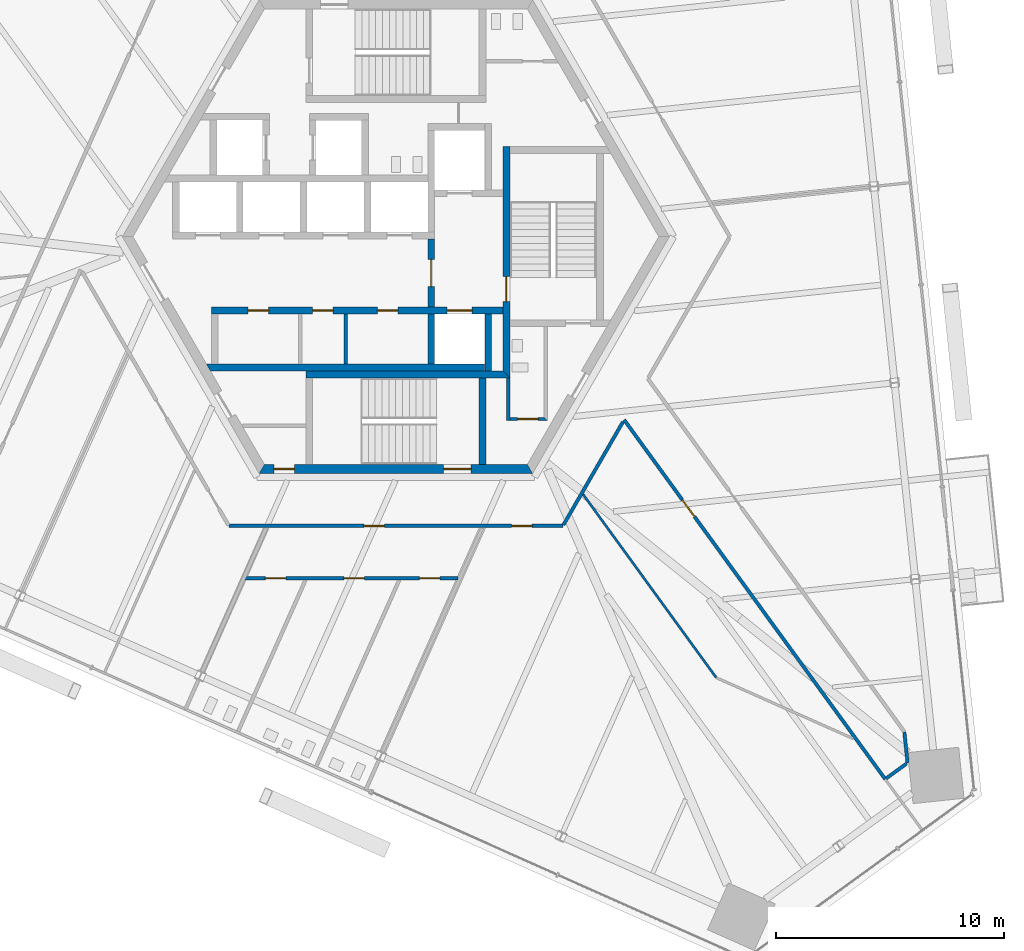
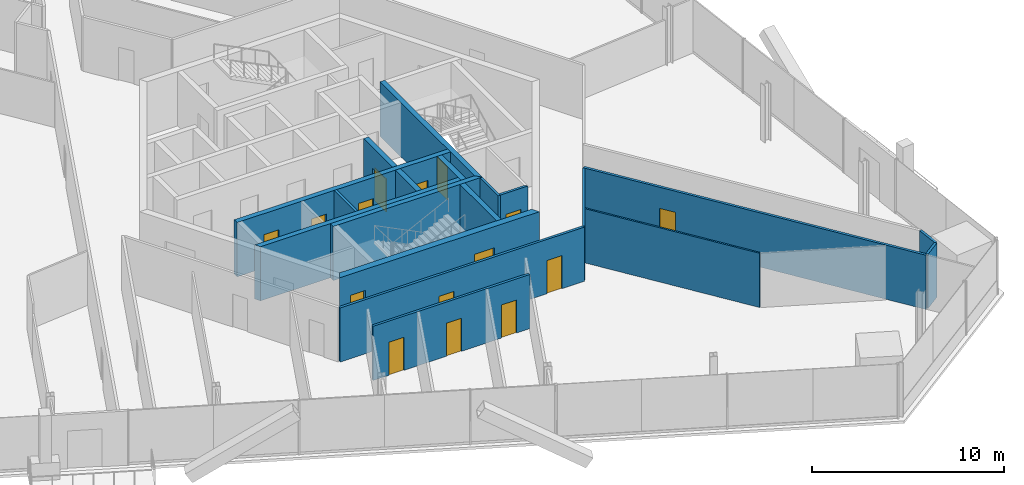
# One storey, part 12 of 19: 19 walls, 15 doors, 15 openings.
"""IFC4 building model written with IfcOpenShell, lengths in metres."""

from ifc_helpers import new_model, si_unit, direction, frame, frame_2d, origin, place, context, subcontext, project, spatial, polyline, rectangle, outline, extrude, source, transform, mapped, material, layer, layer_set, type_object, element, fill, save


model = new_model("IFC4")

# Units and contexts
model_context = context("Model", 3, precision=1e-05, world=origin(), true_north=direction((0.0, 1.0)))
body_context = subcontext(model_context, "Body", "Model", "MODEL_VIEW")
ifc_project = project(units=[si_unit("LENGTHUNIT", "METRE"), si_unit("AREAUNIT", "SQUARE_METRE"), si_unit("VOLUMEUNIT", "CUBIC_METRE"), si_unit("PLANEANGLEUNIT", "RADIAN"), si_unit("MASSUNIT", "GRAM", prefix="KILO")], contexts=[model_context])

# Site, building, storey
site_placement = place(None, origin())
site = spatial("IfcSite", under=ifc_project, at=site_placement, CompositionType="ELEMENT")
building_placement = place(site_placement, origin())
building = spatial("IfcBuilding", under=site, at=building_placement, Name="Triune Harvest Tower", CompositionType="ELEMENT")
storey_placement = place(building_placement, frame((0.0, 0.0, 69.300048828125)))
storey = spatial("IfcBuildingStorey", under=building, at=storey_placement, Name="L16", CompositionType="ELEMENT", Elevation=69.300048828125)

# Wall, openings, doors
ifc_material_1 = material(Name="Concrete 70 MPa", Category="concrete")
ifc_layer_1 = layer(ifc_material_1, 0.39990234375)
ifc_layer_set_1 = layer_set([ifc_layer_1], Name="Concrete 70 MPa")
wall_type_1 = type_object("IfcWallType", Name="Core wall 400", PredefinedType="SHEAR", material=ifc_layer_set_1)
shared_shape_1 = source(origin(), body_context, "Body", "SweptSolid", [
    extrude(outline(polyline([(-0.115478515625, -0.199951171875), (11.884521484375, -0.199951171875), (11.653564453125, 0.199951171875), (0.115478515625, 0.199951171875), (-0.115478515625, -0.199951171875)])), origin(), (0.0, 0.0, 1.0), 3.43994140625),
])
wall_1_placement = place(storey_placement, frame((-5.884521484375, -10.1923828125, 0.0), z_axis=(0.0, 0.0, 1.0), x_axis=(1.0, 0.0, 0.0)))
wall_1 = element("IfcWall", 1, at=wall_1_placement, inside=storey, type_object=wall_type_1, Name="Hexagon 4 wall", PredefinedType="SHEAR", context=body_context, shape_type="MappedRepresentation", body=[
    mapped(shared_shape_1, transform((0.0, 0.0, 0.0), scale=1.0)),
])
opening_1_placement = place(wall_1_placement, frame((7.984619140625, 0.0, 0.0)))
opening_1 = element("IfcOpeningElement", 2, at=opening_1_placement, cuts=wall_1, Name="Opening CD-S2P", PredefinedType="OPENING", context=body_context, shape_type="SweptSolid", body=[
    extrude(rectangle(XDim=1.199951171875, YDim=2.10009765625, at=frame_2d((0.60009765625, 1.050048828125))), frame((0.0, 0.2099609375, 0.0), z_axis=(0.0, -1.0, 0.0), x_axis=(1.0, 0.0, 0.0)), (0.0, 0.0, 1.0), 0.419921875),
])
opening_2_placement = place(wall_1_placement, frame((0.534423828125, 0.0, 0.0)))
opening_2 = element("IfcOpeningElement", 3, at=opening_2_placement, cuts=wall_1, Name="Opening CD-SWS", PredefinedType="OPENING", context=body_context, shape_type="SweptSolid", body=[
    extrude(rectangle(XDim=0.89990234375, YDim=2.10009765625, at=frame_2d((0.449951171875, 1.050048828125))), frame((0.0, 0.2099609375, 0.0), z_axis=(0.0, -1.0, 0.0), x_axis=(1.0, 0.0, 0.0)), (0.0, 0.0, 1.0), 0.419921875),
])
ifc_material_2 = material(Name="Steel S235", Category="steel")
door_type_1 = type_object("IfcDoorType", Name="Riser door 900 FD120", OperationType="SINGLE_SWING_LEFT", PredefinedType="DOOR", material=ifc_material_2)
door_1_placement = place(opening_2_placement, frame((0.89990234375, 0.0, 0.0), z_axis=(0.0, 0.0, 1.0), x_axis=(-1.0, 0.0, 0.0)))
door_1 = element("IfcDoor", 4, at=door_1_placement, inside=storey, type_object=door_type_1, Name="Door CD-SWS", OperationType="SINGLE_SWING_RIGHT", OverallHeight=2.10009765625, OverallWidth=0.89990234375, PredefinedType="DOOR", context=body_context, shape_type="SweptSolid", body=[
    extrude(rectangle(XDim=0.89990234375, YDim=2.10009765625, at=frame_2d((0.449951171875, 1.050048828125))), frame((0.0, 0.02490234375, 0.0), z_axis=(0.0, -1.0, 0.0), x_axis=(1.0, 0.0, 0.0)), (0.0, 0.0, 1.0), 0.050048828125),
])
fill(opening_2, door_1)
ifc_material_3 = material(Name="Steel S235", Category="steel")
door_type_2 = type_object("IfcDoorType", Name="Stair door 1200 FD120", OperationType="SINGLE_SWING_LEFT", PredefinedType="DOOR", material=ifc_material_3)
door_2_placement = place(opening_1_placement, frame((1.199951171875, 0.0, 0.0), z_axis=(0.0, 0.0, 1.0), x_axis=(-1.0, 0.0, 0.0)))
door_2 = element("IfcDoor", 5, at=door_2_placement, inside=storey, type_object=door_type_2, Name="Door CD-S2P", OperationType="SINGLE_SWING_RIGHT", OverallHeight=2.10009765625, OverallWidth=1.199951171875, PredefinedType="DOOR", context=body_context, shape_type="SweptSolid", body=[
    extrude(rectangle(XDim=1.199951171875, YDim=2.10009765625, at=frame_2d((0.60009765625, 1.050048828125))), frame((0.0, 0.02490234375, 0.0), z_axis=(0.0, -1.0, 0.0), x_axis=(1.0, 0.0, 0.0)), (0.0, 0.0, 1.0), 0.050048828125),
])
fill(opening_1, door_2)

# Wall
ifc_material_4 = material(Name="Concrete 70 MPa", Category="concrete")
ifc_layer_2 = layer(ifc_material_4, 0.300048828125)
ifc_layer_set_2 = layer_set([ifc_layer_2], Name="Concrete 70 MPa")
wall_type_2 = type_object("IfcWallType", Name="Core wall 300", PredefinedType="SHEAR", material=ifc_layer_set_2)
shared_shape_2 = source(origin(), body_context, "Body", "SweptSolid", [
    extrude(rectangle(XDim=2.5, YDim=0.300048828125, at=frame_2d((1.25, 0.0))), origin(), (0.0, 0.0, 1.0), 3.43994140625),
])
wall_2_placement = place(storey_placement, frame((4.050048828125, -5.889892578125, 0.0), z_axis=(0.0, 0.0, 1.0), x_axis=(0.0, 1.0, 0.0)))
element("IfcWall", 6, at=wall_2_placement, inside=storey, type_object=wall_type_2, Name="Ff2 east wall", PredefinedType="SHEAR", context=body_context, shape_type="MappedRepresentation", body=[
    mapped(shared_shape_2, transform((0.0, 0.0, 0.0), scale=1.0)),
])

# Wall, opening, door
shared_shape_3 = source(origin(), body_context, "Body", "SweptSolid", [
    extrude(rectangle(XDim=3.0, YDim=0.300048828125, at=frame_2d((1.5, 0.0))), origin(), (0.0, 0.0, 1.0), 3.43994140625),
])
wall_3_placement = place(storey_placement, frame((1.550048828125, -3.090087890625, 0.0), z_axis=(0.0, 0.0, 1.0), x_axis=(0.0, 1.0, 0.0)))
wall_3 = element("IfcWall", 7, at=wall_3_placement, inside=storey, type_object=wall_type_2, Name="Ff lobby west wall", PredefinedType="SHEAR", context=body_context, shape_type="MappedRepresentation", body=[
    mapped(shared_shape_3, transform((0.0, 0.0, 0.0), scale=1.0)),
])
opening_3_placement = place(wall_3_placement, frame((0.89990234375, 0.0, 0.0)))
opening_3 = element("IfcOpeningElement", 8, at=opening_3_placement, cuts=wall_3, Name="Opening CD-FL", PredefinedType="OPENING", context=body_context, shape_type="SweptSolid", body=[
    extrude(rectangle(XDim=1.199951171875, YDim=2.10009765625, at=frame_2d((0.60009765625, 1.050048828125))), frame((0.0, 0.16015625, 0.0), z_axis=(0.0, -1.0, 0.0), x_axis=(1.0, 0.0, 0.0)), (0.0, 0.0, 1.0), 0.320068359375),
])
ifc_material_5 = material(Name="Steel S235", Category="steel")
door_type_3 = type_object("IfcDoorType", Name="Firefighters' lobby door 1200 FD120", OperationType="SINGLE_SWING_LEFT", PredefinedType="DOOR", material=ifc_material_5)
door_3_placement = place(opening_3_placement, frame((1.199951171875, 0.0, 0.0), z_axis=(0.0, 0.0, 1.0), x_axis=(-1.0, 0.0, 0.0)))
door_3 = element("IfcDoor", 9, at=door_3_placement, inside=storey, type_object=door_type_3, Name="Door CD-FL", OperationType="SINGLE_SWING_RIGHT", OverallHeight=2.10009765625, OverallWidth=1.199951171875, PredefinedType="DOOR", context=body_context, shape_type="SweptSolid", body=[
    extrude(rectangle(XDim=1.199951171875, YDim=2.10009765625, at=frame_2d((0.60009765625, 1.050048828125))), frame((0.0, 0.02490234375, 0.0), z_axis=(0.0, -1.0, 0.0), x_axis=(1.0, 0.0, 0.0)), (0.0, 0.0, 1.0), 0.050048828125),
])
fill(opening_3, door_3)

# Wall, openings, doors
shared_shape_4 = source(origin(), body_context, "Body", "SweptSolid", [
    extrude(rectangle(XDim=12.800048828125, YDim=0.300048828125, at=frame_2d((6.39990234375, 0.0))), origin(), (0.0, 0.0, 1.0), 3.43994140625),
])
wall_4_placement = place(storey_placement, frame((-8.10009765625, -3.239990234375, 0.0), z_axis=(0.0, 0.0, 1.0), x_axis=(1.0, 0.0, 0.0)))
wall_4 = element("IfcWall", 10, at=wall_4_placement, inside=storey, type_object=wall_type_2, Name="South front wall", PredefinedType="SHEAR", context=body_context, shape_type="MappedRepresentation", body=[
    mapped(shared_shape_4, transform((0.0, 0.0, 0.0), scale=1.0)),
])
opening_4_placement = place(wall_4_placement, frame((1.612548828125, 0.0, 0.0)))
opening_4 = element("IfcOpeningElement", 11, at=opening_4_placement, cuts=wall_4, Name="Opening CD-RS1", PredefinedType="OPENING", context=body_context, shape_type="SweptSolid", body=[
    extrude(rectangle(XDim=0.89990234375, YDim=2.10009765625, at=frame_2d((0.449951171875, 1.050048828125))), frame((0.0, 0.16015625, 0.0), z_axis=(0.0, -1.0, 0.0), x_axis=(1.0, 0.0, 0.0)), (0.0, 0.0, 1.0), 0.320068359375),
])
opening_5_placement = place(wall_4_placement, frame((4.449951171875, 0.0, 0.0)))
opening_5 = element("IfcOpeningElement", 12, at=opening_5_placement, cuts=wall_4, Name="Opening CD-RS2", PredefinedType="OPENING", context=body_context, shape_type="SweptSolid", body=[
    extrude(rectangle(XDim=0.89990234375, YDim=2.10009765625, at=frame_2d((0.449951171875, 1.050048828125))), frame((0.0, 0.16015625, 0.0), z_axis=(0.0, -1.0, 0.0), x_axis=(1.0, 0.0, 0.0)), (0.0, 0.0, 1.0), 0.320068359375),
])
opening_6_placement = place(wall_4_placement, frame((7.28759765625, 0.0, 0.0)))
opening_6 = element("IfcOpeningElement", 13, at=opening_6_placement, cuts=wall_4, Name="Opening CD-RS3", PredefinedType="OPENING", context=body_context, shape_type="SweptSolid", body=[
    extrude(rectangle(XDim=0.89990234375, YDim=2.10009765625, at=frame_2d((0.449951171875, 1.050048828125))), frame((0.0, 0.16015625, 0.0), z_axis=(0.0, -1.0, 0.0), x_axis=(1.0, 0.0, 0.0)), (0.0, 0.0, 1.0), 0.320068359375),
])
opening_7_placement = place(wall_4_placement, frame((10.35009765625, 0.0, 0.0)))
opening_7 = element("IfcOpeningElement", 14, at=opening_7_placement, cuts=wall_4, Name="Opening LD-FF2-16", PredefinedType="OPENING", context=body_context, shape_type="SweptSolid", body=[
    extrude(rectangle(XDim=1.10009765625, YDim=2.10009765625, at=frame_2d((0.550048828125, 1.050048828125))), frame((0.0, 0.16015625, 0.0), z_axis=(0.0, -1.0, 0.0), x_axis=(1.0, 0.0, 0.0)), (0.0, 0.0, 1.0), 0.320068359375),
])
ifc_material_6 = material(Name="Stainless steel AISI 304", Category="steel")
door_type_4 = type_object("IfcDoorType", Name="Landing door 1100 x 2100", OperationType="DOUBLE_DOOR_SLIDING", PredefinedType="DOOR", material=ifc_material_6)
door_4_placement = place(opening_7_placement, origin())
door_4 = element("IfcDoor", 15, at=door_4_placement, inside=storey, type_object=door_type_4, Name="Door LD-FF2-16", OperationType="DOUBLE_DOOR_SLIDING", OverallHeight=2.10009765625, OverallWidth=1.10009765625, PredefinedType="DOOR", context=body_context, shape_type="SweptSolid", body=[
    extrude(rectangle(XDim=1.10009765625, YDim=2.10009765625, at=frame_2d((0.550048828125, 1.050048828125))), frame((0.0, 0.02490234375, 0.0), z_axis=(0.0, -1.0, 0.0), x_axis=(1.0, 0.0, 0.0)), (0.0, 0.0, 1.0), 0.050048828125),
])
fill(opening_7, door_4)
door_5_placement = place(opening_4_placement, origin())
door_5 = element("IfcDoor", 16, at=door_5_placement, inside=storey, type_object=door_type_1, Name="Door CD-RS1", OperationType="SINGLE_SWING_LEFT", OverallHeight=2.10009765625, OverallWidth=0.89990234375, PredefinedType="DOOR", context=body_context, shape_type="SweptSolid", body=[
    extrude(rectangle(XDim=0.89990234375, YDim=2.10009765625, at=frame_2d((0.449951171875, 1.050048828125))), frame((0.0, 0.02490234375, 0.0), z_axis=(0.0, -1.0, 0.0), x_axis=(1.0, 0.0, 0.0)), (0.0, 0.0, 1.0), 0.050048828125),
])
fill(opening_4, door_5)
door_6_placement = place(opening_5_placement, origin())
door_6 = element("IfcDoor", 17, at=door_6_placement, inside=storey, type_object=door_type_1, Name="Door CD-RS2", OperationType="SINGLE_SWING_LEFT", OverallHeight=2.10009765625, OverallWidth=0.89990234375, PredefinedType="DOOR", context=body_context, shape_type="SweptSolid", body=[
    extrude(rectangle(XDim=0.89990234375, YDim=2.10009765625, at=frame_2d((0.449951171875, 1.050048828125))), frame((0.0, 0.02490234375, 0.0), z_axis=(0.0, -1.0, 0.0), x_axis=(1.0, 0.0, 0.0)), (0.0, 0.0, 1.0), 0.050048828125),
])
fill(opening_5, door_6)
door_7_placement = place(opening_6_placement, origin())
door_7 = element("IfcDoor", 18, at=door_7_placement, inside=storey, type_object=door_type_1, Name="Door CD-RS3", OperationType="SINGLE_SWING_LEFT", OverallHeight=2.10009765625, OverallWidth=0.89990234375, PredefinedType="DOOR", context=body_context, shape_type="SweptSolid", body=[
    extrude(rectangle(XDim=0.89990234375, YDim=2.10009765625, at=frame_2d((0.449951171875, 1.050048828125))), frame((0.0, 0.02490234375, 0.0), z_axis=(0.0, -1.0, 0.0), x_axis=(1.0, 0.0, 0.0)), (0.0, 0.0, 1.0), 0.050048828125),
])
fill(opening_6, door_7)

# Walls
shared_shape_5 = source(origin(), body_context, "Body", "SweptSolid", [
    extrude(outline(polyline([(12.0, -0.14990234375), (-0.039794921875, -0.14990234375), (-0.212890625, 0.14990234375), (12.0, 0.14990234375), (12.0, -0.14990234375)])), origin(), (0.0, 0.0, 1.0), 3.43994140625),
])
wall_5_placement = place(storey_placement, frame((-8.10009765625, -5.739990234375, 0.0), z_axis=(0.0, 0.0, 1.0), x_axis=(1.0, 0.0, 0.0)))
element("IfcWall", 19, at=wall_5_placement, inside=storey, type_object=wall_type_2, Name="South back wall", PredefinedType="SHEAR", context=body_context, shape_type="MappedRepresentation", body=[
    mapped(shared_shape_5, transform((0.0, 0.0, 0.0), scale=1.0)),
])
shared_shape_6 = source(origin(), body_context, "Body", "SweptSolid", [
    extrude(rectangle(XDim=2.2001953125, YDim=0.300048828125, at=frame_2d((1.10009765625, 0.0))), origin(), (0.0, 0.0, 1.0), 3.43994140625),
])
wall_6_placement = place(storey_placement, frame((1.550048828125, -5.590087890625, 0.0), z_axis=(0.0, 0.0, 1.0), x_axis=(0.0, 1.0, 0.0)))
element("IfcWall", 20, at=wall_6_placement, inside=storey, type_object=wall_type_2, Name="Ff2 west wall", PredefinedType="SHEAR", context=body_context, shape_type="MappedRepresentation", body=[
    mapped(shared_shape_6, transform((0.0, 0.0, 0.0), scale=1.0)),
])

# Wall, opening, door
shared_shape_7 = source(origin(), body_context, "Body", "SweptSolid", [
    extrude(outline(polyline([(-0.14990234375, -0.14990234375), (9.989990234375, -0.14990234375), (9.989990234375, 0.14990234375), (0.14990234375, 0.14990234375), (-0.14990234375, -0.14990234375)])), origin(), (0.0, 0.0, 1.0), 3.43994140625),
])
wall_7_placement = place(storey_placement, frame((4.85009765625, -6.0400390625, 0.0), z_axis=(0.0, 0.0, 1.0), x_axis=(0.0, 1.0, 0.0)))
wall_7 = element("IfcWall", 21, at=wall_7_placement, inside=storey, type_object=wall_type_2, Name="Stair e west wall", PredefinedType="SHEAR", context=body_context, shape_type="MappedRepresentation", body=[
    mapped(shared_shape_7, transform((0.0, 0.0, 0.0), scale=1.0)),
])
opening_8_placement = place(wall_7_placement, frame((3.18994140625, 0.0, 0.0)))
opening_8 = element("IfcOpeningElement", 22, at=opening_8_placement, cuts=wall_7, Name="Opening CD-S3L", PredefinedType="OPENING", context=body_context, shape_type="SweptSolid", body=[
    extrude(rectangle(XDim=1.10009765625, YDim=2.10009765625, at=frame_2d((0.550048828125, 1.050048828125))), frame((0.0, 0.16015625, 0.0), z_axis=(0.0, -1.0, 0.0), x_axis=(1.0, 0.0, 0.0)), (0.0, 0.0, 1.0), 0.320068359375),
])
ifc_material_7 = material(Name="Steel S235", Category="steel")
door_type_5 = type_object("IfcDoorType", Name="Stair door 1100 FD120", OperationType="SINGLE_SWING_LEFT", PredefinedType="DOOR", material=ifc_material_7)
door_8_placement = place(opening_8_placement, frame((1.10009765625, 0.0, 0.0), z_axis=(0.0, 0.0, 1.0), x_axis=(-1.0, 0.0, 0.0)))
door_8 = element("IfcDoor", 23, at=door_8_placement, inside=storey, type_object=door_type_5, Name="Door CD-S3L", OperationType="SINGLE_SWING_RIGHT", OverallHeight=2.10009765625, OverallWidth=1.10009765625, PredefinedType="DOOR", context=body_context, shape_type="SweptSolid", body=[
    extrude(rectangle(XDim=1.10009765625, YDim=2.10009765625, at=frame_2d((0.550048828125, 1.050048828125))), frame((0.0, 0.02490234375, 0.0), z_axis=(0.0, -1.0, 0.0), x_axis=(1.0, 0.0, 0.0)), (0.0, 0.0, 1.0), 0.050048828125),
])
fill(opening_8, door_8)

# Walls
shared_shape_8 = source(origin(), body_context, "Body", "SweptSolid", [
    extrude(outline(polyline([(0.0, -0.14990234375), (8.949951171875, -0.14990234375), (8.64990234375, 0.14990234375), (0.0, 0.14990234375), (0.0, -0.14990234375)])), origin(), (0.0, 0.0, 1.0), 3.43994140625),
])
wall_8_placement = place(storey_placement, frame((-3.949951171875, -6.0400390625, 0.0), z_axis=(0.0, 0.0, 1.0), x_axis=(1.0, 0.0, 0.0)))
element("IfcWall", 24, at=wall_8_placement, inside=storey, type_object=wall_type_2, Name="Stair s north wall", PredefinedType="SHEAR", context=body_context, shape_type="MappedRepresentation", body=[
    mapped(shared_shape_8, transform((0.0, 0.0, 0.0), scale=1.0)),
])
shared_shape_9 = source(origin(), body_context, "Body", "SweptSolid", [
    extrude(outline(polyline([(3.800048828125, -0.14990234375), (-0.00439453125, -0.14990234375), (-0.00439453125, 0.14990234375), (3.800048828125, 0.14990234375), (3.800048828125, -0.14990234375)])), origin(), (0.0, 0.0, 1.0), 3.43994140625),
])
wall_9_placement = place(storey_placement, frame((3.800048828125, -9.989990234375, 0.0), z_axis=(0.0, 0.0, 1.0), x_axis=(0.0, 1.0, 0.0)))
element("IfcWall", 25, at=wall_9_placement, inside=storey, type_object=wall_type_2, Name="Stair s east wall", PredefinedType="SHEAR", context=body_context, shape_type="MappedRepresentation", body=[
    mapped(shared_shape_9, transform((0.0, 0.0, 0.0), scale=1.0)),
])

# Wall, opening, door
ifc_material_8 = material(Name="Concrete masonry unit", Category="masonry")
ifc_layer_3 = layer(ifc_material_8, 0.14990234375)
ifc_layer_set_3 = layer_set([ifc_layer_3], Name="Concrete masonry unit")
wall_type_3 = type_object("IfcWallType", Name="Block partition 150 unrated", PredefinedType="PARTITIONING", material=ifc_layer_set_3)
shared_shape_10 = source(origin(), body_context, "Body", "SweptSolid", [
    extrude(outline(polyline([(0.0, -0.074951171875), (1.64990234375, -0.074951171875), (1.5, 0.074951171875), (0.0, 0.074951171875), (0.0, -0.074951171875)])), origin(), (0.0, 0.0, 1.0), 3.43994140625),
])
wall_10_placement = place(storey_placement, frame((5.0, -8.0, 0.0), z_axis=(0.0, 0.0, 1.0), x_axis=(1.0, 0.0, 0.0)))
wall_10 = element("IfcWall", 26, at=wall_10_placement, inside=storey, type_object=wall_type_3, Name="Wc acc south wall", PredefinedType="PARTITIONING", context=body_context, shape_type="MappedRepresentation", body=[
    mapped(shared_shape_10, transform((0.0, 0.0, 0.0), scale=1.0)),
])
opening_9_placement = place(wall_10_placement, frame((0.33740234375, 0.0, 0.0)))
opening_9 = element("IfcOpeningElement", 27, at=opening_9_placement, cuts=wall_10, Name="Opening CD-WA", PredefinedType="OPENING", context=body_context, shape_type="SweptSolid", body=[
    extrude(rectangle(XDim=0.89990234375, YDim=2.10009765625, at=frame_2d((0.449951171875, 1.050048828125))), frame((0.0, 0.0849609375, 0.0), z_axis=(0.0, -1.0, 0.0), x_axis=(1.0, 0.0, 0.0)), (0.0, 0.0, 1.0), 0.169921875),
])
ifc_material_9 = material(Name="Timber C24", Category="wood")
door_type_6 = type_object("IfcDoorType", Name="WC door 900", OperationType="SINGLE_SWING_LEFT", PredefinedType="DOOR", material=ifc_material_9)
door_9_placement = place(opening_9_placement, origin())
door_9 = element("IfcDoor", 28, at=door_9_placement, inside=storey, type_object=door_type_6, Name="Door CD-WA", OperationType="SINGLE_SWING_LEFT", OverallHeight=2.10009765625, OverallWidth=0.89990234375, PredefinedType="DOOR", context=body_context, shape_type="SweptSolid", body=[
    extrude(rectangle(XDim=0.89990234375, YDim=2.10009765625, at=frame_2d((0.449951171875, 1.050048828125))), frame((0.0, 0.02490234375, 0.0), z_axis=(0.0, -1.0, 0.0), x_axis=(1.0, 0.0, 0.0)), (0.0, 0.0, 1.0), 0.050048828125),
])
fill(opening_9, door_9)

# Walls
ifc_material_10 = material(Name="Concrete masonry unit", Category="masonry")
ifc_layer_4 = layer(ifc_material_10, 0.14990234375)
ifc_layer_set_4 = layer_set([ifc_layer_4], Name="Concrete masonry unit")
wall_type_4 = type_object("IfcWallType", Name="Block partition 150", PredefinedType="PARTITIONING", material=ifc_layer_set_4)
shared_shape_11 = source(origin(), body_context, "Body", "SweptSolid", [
    extrude(rectangle(XDim=2.2001953125, YDim=0.14990234375, at=frame_2d((1.10009765625, 0.0))), origin(), (0.0, 0.0, 1.0), 3.43994140625),
])
wall_11_placement = place(storey_placement, frame((-2.199951171875, -5.590087890625, 0.0), z_axis=(0.0, 0.0, 1.0), x_axis=(0.0, 1.0, 0.0)))
element("IfcWall", 29, at=wall_11_placement, inside=storey, type_object=wall_type_4, Name="Row s part 2 wall", PredefinedType="PARTITIONING", context=body_context, shape_type="MappedRepresentation", body=[
    mapped(shared_shape_11, transform((0.0, 0.0, 0.0), scale=1.0)),
])
shared_shape_12 = source(origin(), body_context, "Body", "SweptSolid", [
    extrude(rectangle(XDim=1.885009765625, YDim=0.14990234375, at=frame_2d((0.9423828125, 0.0))), origin(), (0.0, 0.0, 1.0), 3.43994140625),
])
wall_12_placement = place(storey_placement, frame((4.925048828125, -8.074951171875, 0.0), z_axis=(0.0, 0.0, 1.0), x_axis=(0.0, 1.0, 0.0)))
element("IfcWall", 30, at=wall_12_placement, inside=storey, type_object=wall_type_3, Name="Wc acc west wall", PredefinedType="PARTITIONING", context=body_context, shape_type="MappedRepresentation", body=[
    mapped(shared_shape_12, transform((0.0, 0.0, 0.0), scale=1.0)),
])
ifc_material_11 = material(Name="Gypsum board on steel studs", Category="steel")
ifc_layer_5 = layer(ifc_material_11, 0.14990234375)
ifc_layer_set_5 = layer_set([ifc_layer_5], Name="Gypsum board on steel studs")
wall_type_5 = type_object("IfcWallType", Name="Fire Partition 150 mm", PredefinedType="PARTITIONING", material=ifc_layer_set_5)
shared_shape_13 = source(origin(), body_context, "Body", "SweptSolid", [
    extrude(rectangle(XDim=1.352294921875, YDim=0.14990234375, at=frame_2d((0.67626953125, 0.0))), origin(), (0.0, 0.0, 1.0), 3.43994140625),
])
wall_13_placement = place(storey_placement, frame((22.3125, -21.74267578125, 0.0), z_axis=(0.0, 0.0, 1.0), x_axis=(0.104525029296, -0.994522256287, 0.0)))
element("IfcWall", 31, at=wall_13_placement, inside=storey, type_object=wall_type_5, Name="Partition L16 002", PredefinedType="PARTITIONING", context=body_context, shape_type="MappedRepresentation", body=[
    mapped(shared_shape_13, transform((0.0, 0.0, 0.0), scale=1.0)),
])

# Wall, openings, doors
shared_shape_14 = source(origin(), body_context, "Body", "SweptSolid", [
    extrude(rectangle(XDim=14.65576171875, YDim=0.14990234375, at=frame_2d((7.327880859375, 0.0))), origin(), (0.0, 0.0, 1.0), 3.43994140625),
])
wall_14_placement = place(storey_placement, frame((-7.327880859375, -12.6923828125, 0.0), z_axis=(0.0, 0.0, 1.0), x_axis=(1.0, 0.0, 0.0)))
wall_14 = element("IfcWall", 32, at=wall_14_placement, inside=storey, type_object=wall_type_5, Name="Partition L16 020", PredefinedType="PARTITIONING", context=body_context, shape_type="MappedRepresentation", body=[
    mapped(shared_shape_14, transform((0.0, 0.0, 0.0), scale=1.0)),
])
opening_10_placement = place(wall_14_placement, frame((5.927001953125, 0.0, 0.0)))
opening_10 = element("IfcOpeningElement", 33, at=opening_10_placement, cuts=wall_14, Name="Opening L16-016", PredefinedType="OPENING", context=body_context, shape_type="SweptSolid", body=[
    extrude(rectangle(XDim=0.89990234375, YDim=2.10009765625, at=frame_2d((0.449951171875, 1.050048828125))), frame((0.0, 0.0849609375, 0.0), z_axis=(0.0, -1.0, 0.0), x_axis=(1.0, 0.0, 0.0)), (0.0, 0.0, 1.0), 0.169921875),
])
opening_11_placement = place(wall_14_placement, frame((12.408935546875, 0.0, 0.0)))
opening_11 = element("IfcOpeningElement", 34, at=opening_11_placement, cuts=wall_14, Name="Opening L16-020", PredefinedType="OPENING", context=body_context, shape_type="SweptSolid", body=[
    extrude(rectangle(XDim=0.89990234375, YDim=2.10009765625, at=frame_2d((0.449951171875, 1.050048828125))), frame((0.0, 0.0849609375, 0.0), z_axis=(0.0, -1.0, 0.0), x_axis=(1.0, 0.0, 0.0)), (0.0, 0.0, 1.0), 0.169921875),
])
ifc_material_12 = material(Name="Timber and steel door set", Category="steel")
door_type_7 = type_object("IfcDoorType", Name="Single leaf door FD30 left hand 900 x 2100", OperationType="SINGLE_SWING_LEFT", PredefinedType="DOOR", material=ifc_material_12)
door_10_placement = place(opening_11_placement, origin())
door_10 = element("IfcDoor", 35, at=door_10_placement, inside=storey, type_object=door_type_7, Name="Door L16-020 Office 16.20", OperationType="SINGLE_SWING_LEFT", OverallHeight=2.10009765625, OverallWidth=0.89990234375, PredefinedType="DOOR", context=body_context, shape_type="SweptSolid", body=[
    extrude(rectangle(XDim=0.89990234375, YDim=2.10009765625, at=frame_2d((0.449951171875, 1.050048828125))), frame((0.0, 0.02490234375, 0.0), z_axis=(0.0, -1.0, 0.0), x_axis=(1.0, 0.0, 0.0)), (0.0, 0.0, 1.0), 0.050048828125),
])
fill(opening_11, door_10)
ifc_material_13 = material(Name="Timber and steel door set", Category="steel")
door_type_8 = type_object("IfcDoorType", Name="Single leaf door FD30 right hand 900 x 2100", OperationType="SINGLE_SWING_RIGHT", PredefinedType="DOOR", material=ifc_material_13)
door_11_placement = place(opening_10_placement, origin())
door_11 = element("IfcDoor", 36, at=door_11_placement, inside=storey, type_object=door_type_8, Name="Door L16-016 WC lobby 16.16", OperationType="SINGLE_SWING_RIGHT", OverallHeight=2.10009765625, OverallWidth=0.89990234375, PredefinedType="DOOR", context=body_context, shape_type="SweptSolid", body=[
    extrude(rectangle(XDim=0.89990234375, YDim=2.10009765625, at=frame_2d((0.449951171875, 1.050048828125))), frame((0.0, 0.02490234375, 0.0), z_axis=(0.0, -1.0, 0.0), x_axis=(1.0, 0.0, 0.0)), (0.0, 0.0, 1.0), 0.050048828125),
])
fill(opening_10, door_11)

# Wall
ifc_material_14 = material(Name="Gypsum board on steel studs", Category="steel")
ifc_layer_6 = layer(ifc_material_14, 0.10009765625)
ifc_layer_set_6 = layer_set([ifc_layer_6], Name="Gypsum board on steel studs")
wall_type_6 = type_object("IfcWallType", Name="Partition 100 mm", PredefinedType="PARTITIONING", material=ifc_layer_set_6)
shared_shape_15 = source(origin(), body_context, "Body", "SweptSolid", [
    extrude(rectangle(XDim=10.0244140625, YDim=0.10009765625, at=frame_2d((5.01220703125, 0.0))), origin(), (0.0, 0.0, 1.0), 3.43994140625),
])
wall_15_placement = place(storey_placement, frame((8.16650390625, -11.239990234375, 0.0), z_axis=(0.0, 0.0, 1.0), x_axis=(0.587780634403, -0.809020349448, 0.0)))
element("IfcWall", 37, at=wall_15_placement, inside=storey, type_object=wall_type_6, Name="Partition L16 007", PredefinedType="PARTITIONING", context=body_context, shape_type="MappedRepresentation", body=[
    mapped(shared_shape_15, transform((0.0, 0.0, 0.0), scale=1.0)),
])

# Wall, opening, door
shared_shape_16 = source(origin(), body_context, "Body", "SweptSolid", [
    extrude(rectangle(XDim=19.48828125, YDim=0.14990234375, at=frame_2d((9.744140625, 0.0))), origin(), (0.0, 0.0, 1.0), 3.43994140625),
])
wall_16_placement = place(storey_placement, frame((10.016845703125, -8.034912109375, 0.0), z_axis=(0.0, 0.0, 1.0), x_axis=(0.587767898483, -0.809029602371, 0.0)))
wall_16 = element("IfcWall", 38, at=wall_16_placement, inside=storey, type_object=wall_type_5, Name="Partition L16 009", PredefinedType="PARTITIONING", context=body_context, shape_type="MappedRepresentation", body=[
    mapped(shared_shape_16, transform((0.0, 0.0, 0.0), scale=1.0)),
])
opening_12_placement = place(wall_16_placement, frame((4.349853515625, 0.0, 0.0)))
opening_12 = element("IfcOpeningElement", 39, at=opening_12_placement, cuts=wall_16, Name="Opening L16-001", PredefinedType="OPENING", context=body_context, shape_type="SweptSolid", body=[
    extrude(rectangle(XDim=0.89990234375, YDim=2.10009765625, at=frame_2d((0.449951171875, 1.050048828125))), frame((0.0, 0.0849609375, 0.0), z_axis=(0.0, -1.0, 0.0), x_axis=(1.0, 0.0, 0.0)), (0.0, 0.0, 1.0), 0.169921875),
])
door_12_placement = place(opening_12_placement, origin())
door_12 = element("IfcDoor", 40, at=door_12_placement, inside=storey, type_object=door_type_8, Name="Door L16-001 Dry Store Room 16.01", OperationType="SINGLE_SWING_RIGHT", OverallHeight=2.10009765625, OverallWidth=0.89990234375, PredefinedType="DOOR", context=body_context, shape_type="SweptSolid", body=[
    extrude(rectangle(XDim=0.89990234375, YDim=2.10009765625, at=frame_2d((0.449951171875, 1.050048828125))), frame((0.0, 0.02490234375, 0.0), z_axis=(0.0, -1.0, 0.0), x_axis=(1.0, 0.0, 0.0)), (0.0, 0.0, 1.0), 0.050048828125),
])
fill(opening_12, door_12)

# Wall, openings, doors
shared_shape_17 = source(origin(), body_context, "Body", "SweptSolid", [
    extrude(rectangle(XDim=9.391845703125, YDim=0.14990234375, at=frame_2d((4.69580078125, 0.0))), origin(), (0.0, 0.0, 1.0), 3.43994140625),
])
wall_17_placement = place(storey_placement, frame((-6.6748046875, -14.9921875, 0.0), z_axis=(0.0, 0.0, 1.0), x_axis=(1.0, 0.0, 0.0)))
wall_17 = element("IfcWall", 41, at=wall_17_placement, inside=storey, type_object=wall_type_5, Name="Partition L16 019", PredefinedType="PARTITIONING", context=body_context, shape_type="MappedRepresentation", body=[
    mapped(shared_shape_17, transform((0.0, 0.0, 0.0), scale=1.0)),
])
opening_13_placement = place(wall_17_placement, frame((0.949951171875, 0.0, 0.0)))
opening_13 = element("IfcOpeningElement", 42, at=opening_13_placement, cuts=wall_17, Name="Opening L16-017", PredefinedType="OPENING", context=body_context, shape_type="SweptSolid", body=[
    extrude(rectangle(XDim=0.89990234375, YDim=2.10009765625, at=frame_2d((0.449951171875, 1.050048828125))), frame((0.0, 0.0849609375, 0.0), z_axis=(0.0, -1.0, 0.0), x_axis=(1.0, 0.0, 0.0)), (0.0, 0.0, 1.0), 0.169921875),
])
opening_14_placement = place(wall_17_placement, frame((4.391845703125, 0.0, 0.0)))
opening_14 = element("IfcOpeningElement", 43, at=opening_14_placement, cuts=wall_17, Name="Opening L16-018", PredefinedType="OPENING", context=body_context, shape_type="SweptSolid", body=[
    extrude(rectangle(XDim=0.89990234375, YDim=2.10009765625, at=frame_2d((0.449951171875, 1.050048828125))), frame((0.0, 0.0849609375, 0.0), z_axis=(0.0, -1.0, 0.0), x_axis=(1.0, 0.0, 0.0)), (0.0, 0.0, 1.0), 0.169921875),
])
opening_15_placement = place(wall_17_placement, frame((7.704833984375, 0.0, 0.0)))
opening_15 = element("IfcOpeningElement", 44, at=opening_15_placement, cuts=wall_17, Name="Opening L16-019", PredefinedType="OPENING", context=body_context, shape_type="SweptSolid", body=[
    extrude(rectangle(XDim=0.89990234375, YDim=2.10009765625, at=frame_2d((0.449951171875, 1.050048828125))), frame((0.0, 0.0849609375, 0.0), z_axis=(0.0, -1.0, 0.0), x_axis=(1.0, 0.0, 0.0)), (0.0, 0.0, 1.0), 0.169921875),
])
door_13_placement = place(opening_14_placement, origin())
door_13 = element("IfcDoor", 45, at=door_13_placement, inside=storey, type_object=door_type_7, Name="Door L16-018 Men's WC 16.18", OperationType="SINGLE_SWING_LEFT", OverallHeight=2.10009765625, OverallWidth=0.89990234375, PredefinedType="DOOR", context=body_context, shape_type="SweptSolid", body=[
    extrude(rectangle(XDim=0.89990234375, YDim=2.10009765625, at=frame_2d((0.449951171875, 1.050048828125))), frame((0.0, 0.02490234375, 0.0), z_axis=(0.0, -1.0, 0.0), x_axis=(1.0, 0.0, 0.0)), (0.0, 0.0, 1.0), 0.050048828125),
])
fill(opening_14, door_13)
door_14_placement = place(opening_15_placement, origin())
door_14 = element("IfcDoor", 46, at=door_14_placement, inside=storey, type_object=door_type_7, Name="Door L16-019 Accessible WC 16.19", OperationType="SINGLE_SWING_LEFT", OverallHeight=2.10009765625, OverallWidth=0.89990234375, PredefinedType="DOOR", context=body_context, shape_type="SweptSolid", body=[
    extrude(rectangle(XDim=0.89990234375, YDim=2.10009765625, at=frame_2d((0.449951171875, 1.050048828125))), frame((0.0, 0.02490234375, 0.0), z_axis=(0.0, -1.0, 0.0), x_axis=(1.0, 0.0, 0.0)), (0.0, 0.0, 1.0), 0.050048828125),
])
fill(opening_15, door_14)
door_15_placement = place(opening_13_placement, origin())
door_15 = element("IfcDoor", 47, at=door_15_placement, inside=storey, type_object=door_type_8, Name="Door L16-017 Women's WC 16.17", OperationType="SINGLE_SWING_RIGHT", OverallHeight=2.10009765625, OverallWidth=0.89990234375, PredefinedType="DOOR", context=body_context, shape_type="SweptSolid", body=[
    extrude(rectangle(XDim=0.89990234375, YDim=2.10009765625, at=frame_2d((0.449951171875, 1.050048828125))), frame((0.0, 0.02490234375, 0.0), z_axis=(0.0, -1.0, 0.0), x_axis=(1.0, 0.0, 0.0)), (0.0, 0.0, 1.0), 0.050048828125),
])
fill(opening_13, door_15)

# Walls
shared_shape_18 = source(origin(), body_context, "Body", "SweptSolid", [
    extrude(rectangle(XDim=1.11376953125, YDim=0.14990234375, at=frame_2d((0.556884765625, 0.0))), origin(), (0.0, 0.0, 1.0), 3.43994140625),
])
wall_18_placement = place(storey_placement, frame((21.51220703125, -23.771728515625, 0.0), z_axis=(0.0, 0.0, 1.0), x_axis=(0.809086668959, 0.5876893415, 0.0)))
element("IfcWall", 48, at=wall_18_placement, inside=storey, type_object=wall_type_5, Name="Partition L16 025", PredefinedType="PARTITIONING", context=body_context, shape_type="MappedRepresentation", body=[
    mapped(shared_shape_18, transform((0.0, 0.0, 0.0), scale=1.0)),
])
shared_shape_19 = source(origin(), body_context, "Body", "SweptSolid", [
    extrude(rectangle(XDim=5.22802734375, YDim=0.14990234375, at=frame_2d((2.614013671875, 0.0))), origin(), (0.0, 0.0, 1.0), 3.43994140625),
])
wall_19_placement = place(storey_placement, frame((7.352783203125, -12.64892578125, 0.0), z_axis=(0.0, 0.0, 1.0), x_axis=(0.500001374964, 0.866024609947, 0.0)))
element("IfcWall", 49, at=wall_19_placement, inside=storey, type_object=wall_type_5, Name="Partition L16 029", PredefinedType="PARTITIONING", context=body_context, shape_type="MappedRepresentation", body=[
    mapped(shared_shape_19, transform((0.0, 0.0, 0.0), scale=1.0)),
])

save(model, "model.ifc")
